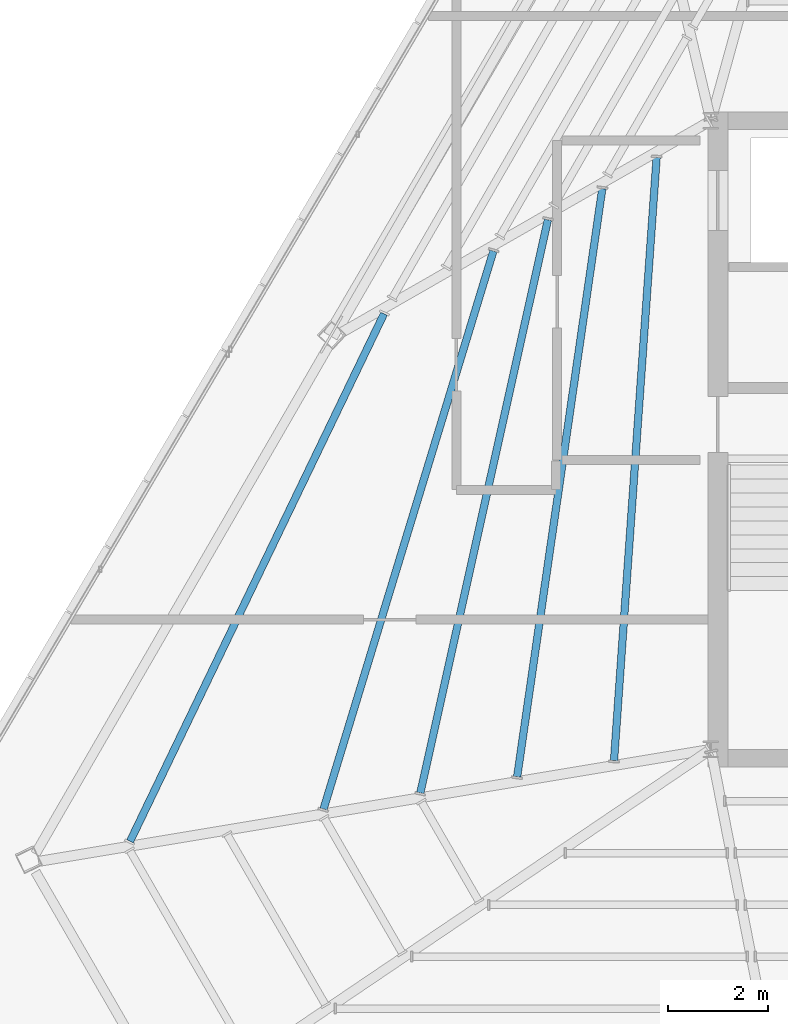
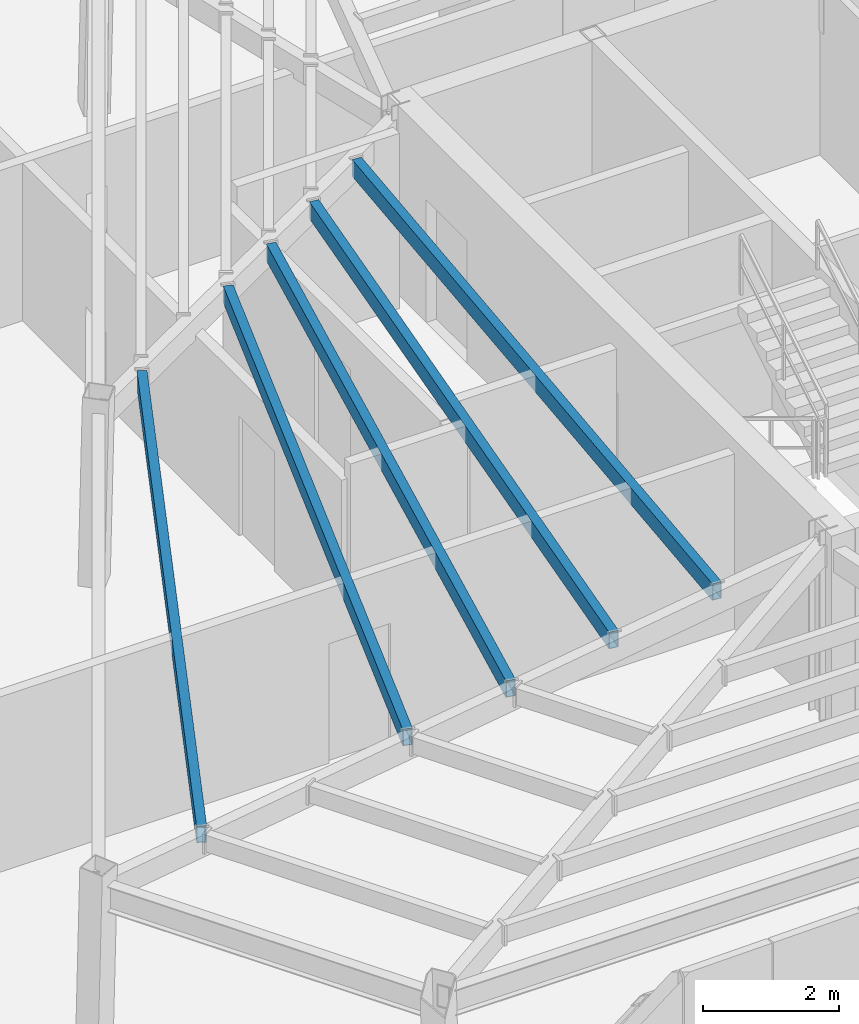
# One storey, part 10 of 47: 5 beams.
"""IFC4 building model written with IfcOpenShell, lengths in metres."""

from ifc_helpers import new_model, si_unit, direction, frame, origin, origin_2d, place, context, subcontext, project, spatial, hollow_rectangle, extrude, source, transform, mapped, material, material_profile, profile_set, type_object, type_shapes, element, save


model = new_model("IFC4")

# Units and contexts
model_context = context("Model", 3, precision=1e-05, world=origin(), true_north=direction((0.0, 1.0)))
body_context = subcontext(model_context, "Body", "Model", "MODEL_VIEW")
ifc_project = project(units=[si_unit("LENGTHUNIT", "METRE"), si_unit("AREAUNIT", "SQUARE_METRE"), si_unit("VOLUMEUNIT", "CUBIC_METRE"), si_unit("PLANEANGLEUNIT", "RADIAN"), si_unit("MASSUNIT", "GRAM", prefix="KILO")], contexts=[model_context])

# Site, building, storey
site_placement = place(None, origin())
site = spatial("IfcSite", under=ifc_project, at=site_placement, CompositionType="ELEMENT")
building_placement = place(site_placement, origin())
building = spatial("IfcBuilding", under=site, at=building_placement, Name="Caelisora Broadcast Tower", CompositionType="ELEMENT")
storey_placement = place(building_placement, frame((0.0, 0.0, 293.199951171875)))
storey = spatial("IfcBuildingStorey", under=building, at=storey_placement, Name="L77", CompositionType="ELEMENT", Elevation=293.199951171875)

# Beams
ifc_material = material(Name="Steel Grade 350 (AS/NZS 1163 C350L0)", Category="steel")
ifc_material_profile = material_profile(ifc_material, hollow_rectangle(XDim=0.14990234375, YDim=0.300048828125, WallThickness=0.010009765625, at=origin_2d()), Name="Steel Grade 350 (AS/NZS 1163 C350L0)")
ifc_profile_set = profile_set([ifc_material_profile], Name="Steel Grade 350 (AS/NZS 1163 C350L0)")
beam_type = type_object("IfcBeamType", Name="SB05", PredefinedType="JOIST", material=ifc_profile_set)
shared_shape_1 = source(origin(), body_context, "Body", "SweptSolid", [
    extrude(hollow_rectangle(XDim=0.14990234375, YDim=0.300048828125, WallThickness=0.010009765625, at=origin_2d()), origin(), (0.0, 0.0, 1.0), 12.119140625),
])
beam_1_placement = place(storey_placement, frame((29.412353515625, 29.263916015625, 3.0), z_axis=(-0.070466797479, -0.99751412544, 0.0), x_axis=(0.99751412544, -0.070466797479, 0.0)))
element("IfcBeam", 1, at=beam_1_placement, inside=storey, type_object=beam_type, Name="L77 beam SB05", PredefinedType="JOIST", context=body_context, shape_type="MappedRepresentation", body=[
    mapped(shared_shape_1, transform((0.0, 0.0, 0.0), scale=1.0)),
])
shared_shape_2 = source(origin(), body_context, "Body", "SweptSolid", [
    extrude(hollow_rectangle(XDim=0.14990234375, YDim=0.300048828125, WallThickness=0.010009765625, at=origin_2d()), origin(), (0.0, 0.0, 1.0), 11.910400390625),
])
beam_2_placement = place(storey_placement, frame((28.323486328125, 28.638916015625, 3.0), z_axis=(-0.143260603657, -0.989685000109, 0.0), x_axis=(0.989685000109, -0.143260603657, 0.0)))
element("IfcBeam", 2, at=beam_2_placement, inside=storey, type_object=beam_type, Name="L77 beam SB05", PredefinedType="JOIST", context=body_context, shape_type="MappedRepresentation", body=[
    mapped(shared_shape_2, transform((0.0, 0.0, 0.0), scale=1.0)),
])
shared_shape_3 = source(origin(), body_context, "Body", "SweptSolid", [
    extrude(hollow_rectangle(XDim=0.14990234375, YDim=0.300048828125, WallThickness=0.010009765625, at=origin_2d()), origin(), (0.0, 0.0, 1.0), 11.766357421875),
])
beam_3_placement = place(storey_placement, frame((27.23291015625, 28.013427734375, 3.0), z_axis=(-0.217262184279, -0.976113284042, 0.0), x_axis=(0.976113284042, -0.217262184279, 0.0)))
element("IfcBeam", 3, at=beam_3_placement, inside=storey, type_object=beam_type, Name="L77 beam SB05", PredefinedType="JOIST", context=body_context, shape_type="MappedRepresentation", body=[
    mapped(shared_shape_3, transform((0.0, 0.0, 0.0), scale=1.0)),
])
shared_shape_4 = source(origin(), body_context, "Body", "SweptSolid", [
    extrude(hollow_rectangle(XDim=0.14990234375, YDim=0.300048828125, WallThickness=0.010009765625, at=origin_2d()), origin(), (0.0, 0.0, 1.0), 11.688720703125),
])
beam_4_placement = place(storey_placement, frame((26.140625, 27.38671875, 3.0), z_axis=(-0.291204834698, -0.956660725779, 0.0), x_axis=(0.956660725779, -0.291204834698, 0.0)))
element("IfcBeam", 4, at=beam_4_placement, inside=storey, type_object=beam_type, Name="L77 beam SB05", PredefinedType="JOIST", context=body_context, shape_type="MappedRepresentation", body=[
    mapped(shared_shape_4, transform((0.0, 0.0, 0.0), scale=1.0)),
])
shared_shape_5 = source(origin(), body_context, "Body", "SweptSolid", [
    extrude(hollow_rectangle(XDim=0.14990234375, YDim=0.300048828125, WallThickness=0.010009765625, at=origin_2d()), origin(), (0.0, 0.0, 1.0), 11.73095703125),
])
type_shapes(beam_type, [shared_shape_1, shared_shape_2, shared_shape_3, shared_shape_4, shared_shape_5])
beam_5_placement = place(storey_placement, frame((23.947998046875, 26.128662109375, 3.0), z_axis=(-0.433752418544, -0.901032096769, 0.0), x_axis=(0.901032096769, -0.433752418544, 0.0)))
element("IfcBeam", 5, at=beam_5_placement, inside=storey, type_object=beam_type, Name="L77 beam SB05", PredefinedType="JOIST", context=body_context, shape_type="MappedRepresentation", body=[
    mapped(shared_shape_5, transform((0.0, 0.0, 0.0), scale=1.0)),
])

save(model, "model.ifc")
